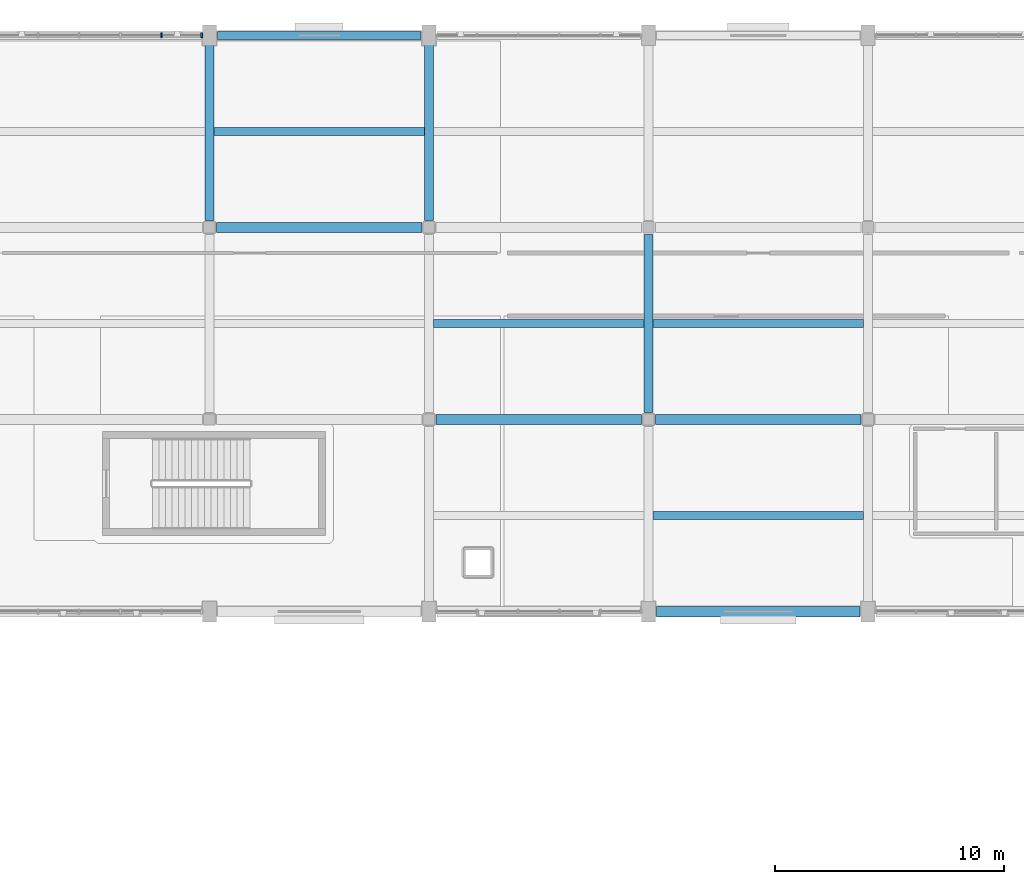
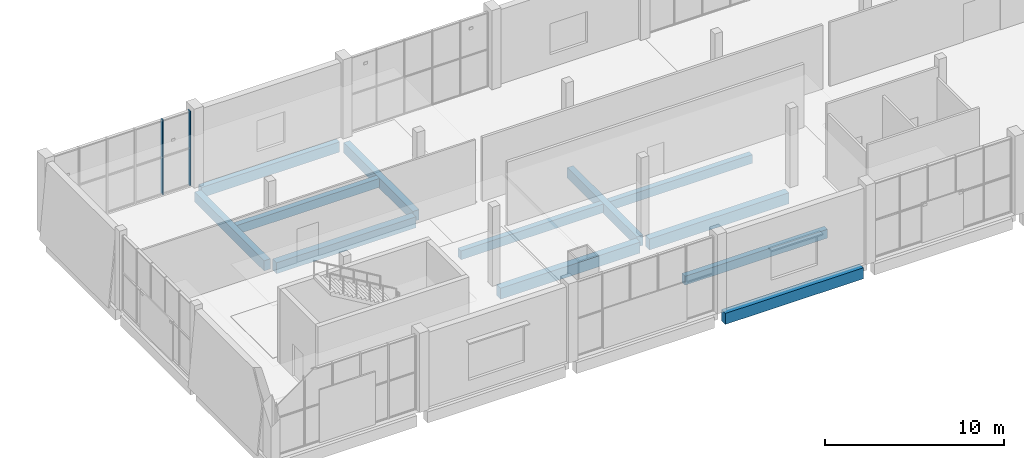
# One storey, part 31 of 83: 12 beams, 2 members, 1 element without a shape of its own.
"""IFC4 building model written with IfcOpenShell, lengths in metres."""

from ifc_helpers import new_model, si_unit, direction, frame, origin, origin_2d, place, context, subcontext, project, spatial, rectangle, extrude, material, material_profile, profile_set, type_object, element, aggregate, save


model = new_model("IFC4")

# Units and contexts
model_context = context("Model", 3, precision=1e-05, world=origin(), true_north=direction((0.0, 1.0)))
body_context = subcontext(model_context, "Body", "Model", "MODEL_VIEW")
ifc_project = project(units=[si_unit("LENGTHUNIT", "METRE"), si_unit("AREAUNIT", "SQUARE_METRE"), si_unit("VOLUMEUNIT", "CUBIC_METRE"), si_unit("PLANEANGLEUNIT", "RADIAN"), si_unit("MASSUNIT", "GRAM", prefix="KILO")], contexts=[model_context])

# Site, building, storey
site_placement = place(None, origin())
site = spatial("IfcSite", under=ifc_project, at=site_placement, CompositionType="ELEMENT")
building_placement = place(site_placement, origin())
building = spatial("IfcBuilding", under=site, at=building_placement, Name="Shalvenor Court Art Gallery", CompositionType="ELEMENT")
storey_placement = place(building_placement, frame((0.0, 0.0, 6.0)))
storey = spatial("IfcBuildingStorey", under=building, at=storey_placement, Name="L01", CompositionType="ELEMENT", Elevation=6.0)

# Beams
ifc_material_1 = material(Name="Concrete C40/50", Category="concrete")
ifc_material_profile_1 = material_profile(ifc_material_1, rectangle(XDim=0.449951171875, YDim=0.75, at=origin_2d()), Name="RC 450x750")
ifc_profile_set_1 = profile_set([ifc_material_profile_1], Name="Concrete C40/50")
beam_type_1 = type_object("IfcBeamType", Name="B-04", PredefinedType="BEAM", material=ifc_profile_set_1)
beam_1_placement = place(storey_placement, frame((86.75, 97.199951171875, -0.695068359375), z_axis=(1.0, 0.0, 0.0), x_axis=(0.0, 1.0, 0.0)))
element("IfcBeam", 1, at=beam_1_placement, inside=storey, type_object=beam_type_1, Name="L01 Girder BM-L01-B-04-0586", PredefinedType="BEAM", context=body_context, shape_type="SweptSolid", body=[
    extrude(rectangle(XDim=0.449951171875, YDim=0.75, at=origin_2d()), origin(), (0.0, 0.0, 1.0), 8.89990234375),
])
for number, where, z_axis, x_axis, name in (
    (2, (77.10009765625, 105.60009765625, -0.695068359375), (1.0, 0.0, 0.0), (0.0, 1.0, 0.0), "L01 Girder BM-L01-B-04-0601"),
    (3, (86.699951171875, 105.60009765625, -0.695068359375), (1.0, 0.0, 0.0), (0.0, 1.0, 0.0), "L01 Girder BM-L01-B-04-0602"),
    (4, (67.5, 114.0, -0.695068359375), (1.0, 0.0, 0.0), (0.0, 1.0, 0.0), "L01 Girder BM-L01-B-04-0607"),
):
    element("IfcBeam", number, at=place(storey_placement, frame(where, z_axis=z_axis, x_axis=x_axis)), inside=storey, type_object=beam_type_1, Name=name, PredefinedType="BEAM", context=body_context, shape_type="SweptSolid", body=[
        extrude(rectangle(XDim=0.449951171875, YDim=0.75, at=origin_2d()), origin(), (0.0, 0.0, 1.0), 9.0),
    ])
ifc_material_2 = material(Name="Concrete C40/50", Category="concrete")
ifc_material_profile_2 = material_profile(ifc_material_2, rectangle(XDim=0.39990234375, YDim=0.699951171875, at=origin_2d()), Name="RC 400x700")
ifc_profile_set_2 = profile_set([ifc_material_profile_2], Name="Concrete C40/50")
beam_type_2 = type_object("IfcBeamType", Name="B-05", PredefinedType="BEAM", material=ifc_profile_set_2)
for number, where, z_axis, x_axis, name in (
    (5, (67.199951171875, 114.300048828125, -0.669921875), (0.0, 1.0, 0.0), (-1.0, 0.0, 0.0), "L01 Girder BM-L01-B-05-0413"),
    (6, (76.800048828125, 114.300048828125, -0.669921875), (0.0, 1.0, 0.0), (-1.0, 0.0, 0.0), "L01 Girder BM-L01-B-05-0418"),
):
    element("IfcBeam", number, at=place(storey_placement, frame(where, z_axis=z_axis, x_axis=x_axis)), inside=storey, type_object=beam_type_2, Name=name, PredefinedType="BEAM", context=body_context, shape_type="SweptSolid", body=[
        extrude(rectangle(XDim=0.39990234375, YDim=0.699951171875, at=origin_2d()), origin(), (0.0, 0.0, 1.0), 7.75),
    ])
beam_2_placement = place(storey_placement, frame((86.39990234375, 105.89990234375, -0.669921875), z_axis=(0.0, 1.0, 0.0), x_axis=(-1.0, 0.0, 0.0)))
element("IfcBeam", 7, at=beam_2_placement, inside=storey, type_object=beam_type_2, Name="L01 Girder BM-L01-B-05-0420", PredefinedType="BEAM", context=body_context, shape_type="SweptSolid", body=[
    extrude(rectangle(XDim=0.39990234375, YDim=0.699951171875, at=origin_2d()), origin(), (0.0, 0.0, 1.0), 7.800048828125),
])

# Curtain wall, members
ifc_material_3 = material(Name="Anodised aluminium and low-iron glass curtain wall", Category="aluminium")
curtain_wall_type = type_object("IfcCurtainWallType", Name="CW-5x2-90-51-442", PredefinedType="USERDEFINED", material=ifc_material_3)
curtain_wall_placement = place(storey_placement, origin())
curtain_wall = element("IfcCurtainWall", 8, at=curtain_wall_placement, inside=storey, type_object=curtain_wall_type, Name="L01 V2 Curtain Wall CW-L01-062", ObjectType="CURTAIN WALL", PredefinedType="USERDEFINED")
ifc_material_4 = material(Name="Anodised aluminium mullion", Category="aluminium")
ifc_material_profile_3 = material_profile(ifc_material_4, rectangle(XDim=0.074951171875, YDim=0.219970703125, at=origin_2d()), Name="CWM-04")
ifc_profile_set_3 = profile_set([ifc_material_profile_3], Name="Anodised aluminium mullion")
member_type = type_object("IfcMemberType", Name="CWM-04", PredefinedType="MULLION", material=ifc_profile_set_3)
member_1_placement = place(storey_placement, frame((65.10009765625, 122.39990234375, 0.0), z_axis=(0.0, 0.0, 1.0), x_axis=(1.0, 0.0, 0.0)))
member_1 = element("IfcMember", 9, at=member_1_placement, type_object=member_type, Name="CW-5x2-90-51-442 mullion 5", PredefinedType="MULLION", context=body_context, shape_type="SweptSolid", body=[
    extrude(rectangle(XDim=0.074951171875, YDim=0.219970703125, at=origin_2d()), origin(), (0.0, 0.0, 1.0), 5.080078125),
])
member_2_placement = place(storey_placement, frame((66.862548828125, 122.39990234375, 0.0), z_axis=(0.0, 0.0, 1.0), x_axis=(1.0, 0.0, 0.0)))
member_2 = element("IfcMember", 10, at=member_2_placement, type_object=member_type, Name="CW-5x2-90-51-442 mullion 6", PredefinedType="MULLION", context=body_context, shape_type="SweptSolid", body=[
    extrude(rectangle(XDim=0.074951171875, YDim=0.219970703125, at=origin_2d()), origin(), (0.0, 0.0, 1.0), 5.080078125),
])
aggregate(curtain_wall, [member_1, member_2])

# Beams
ifc_material_5 = material(Name="Concrete C40/50", Category="concrete")
ifc_material_profile_4 = material_profile(ifc_material_5, rectangle(XDim=0.35009765625, YDim=0.60009765625, at=origin_2d()), Name="RC 350x600")
ifc_profile_set_4 = profile_set([ifc_material_profile_4], Name="Concrete C40/50")
beam_type_3 = type_object("IfcBeamType", Name="J-01", PredefinedType="JOIST", material=ifc_profile_set_4)
beam_3_placement = place(storey_placement, frame((67.39990234375, 118.199951171875, -0.6201171875), z_axis=(1.0, 0.0, 0.0), x_axis=(0.0, 1.0, 0.0)))
element("IfcBeam", 11, at=beam_3_placement, inside=storey, type_object=beam_type_3, Name="L01 Secondary Beam JST-L01-J-01-0649", PredefinedType="JOIST", context=body_context, shape_type="SweptSolid", body=[
    extrude(rectangle(XDim=0.35009765625, YDim=0.60009765625, at=origin_2d()), origin(), (0.0, 0.0, 1.0), 9.2001953125),
])
for number, where, z_axis, x_axis, name in (
    (12, (77.0, 109.800048828125, -0.6201171875), (1.0, 0.0, 0.0), (0.0, 1.0, 0.0), "L01 Secondary Beam JST-L01-J-01-0651"),
    (13, (86.60009765625, 101.39990234375, -0.6201171875), (1.0, 0.0, 0.0), (0.0, 1.0, 0.0), "L01 Secondary Beam JST-L01-J-01-0653"),
    (14, (86.60009765625, 109.800048828125, -0.6201171875), (1.0, 0.0, 0.0), (0.0, 1.0, 0.0), "L01 Secondary Beam JST-L01-J-01-0654"),
):
    element("IfcBeam", number, at=place(storey_placement, frame(where, z_axis=z_axis, x_axis=x_axis)), inside=storey, type_object=beam_type_3, Name=name, PredefinedType="JOIST", context=body_context, shape_type="SweptSolid", body=[
        extrude(rectangle(XDim=0.35009765625, YDim=0.60009765625, at=origin_2d()), origin(), (0.0, 0.0, 1.0), 9.199951171875),
    ])
ifc_material_6 = material(Name="Concrete C40/50", Category="concrete")
ifc_material_profile_5 = material_profile(ifc_material_6, rectangle(XDim=0.35009765625, YDim=0.699951171875, at=origin_2d()), Name="RC 350x700")
ifc_profile_set_5 = profile_set([ifc_material_profile_5], Name="Concrete C40/50")
beam_type_4 = type_object("IfcBeamType", Name="SP-01", PredefinedType="SPANDREL", material=ifc_profile_set_5)
beam_4_placement = place(storey_placement, frame((67.550048828125, 122.39990234375, -0.669921875), z_axis=(1.0, 0.0, 0.0), x_axis=(0.0, 1.0, 0.0)))
element("IfcBeam", 15, at=beam_4_placement, inside=storey, type_object=beam_type_4, Name="L01 Spandrel Girder BM-L01-SP-01-0618", PredefinedType="SPANDREL", context=body_context, shape_type="SweptSolid", body=[
    extrude(rectangle(XDim=0.35009765625, YDim=0.699951171875, at=origin_2d()), origin(), (0.0, 0.0, 1.0), 8.89990234375),
])

save(model, "model.ifc")
